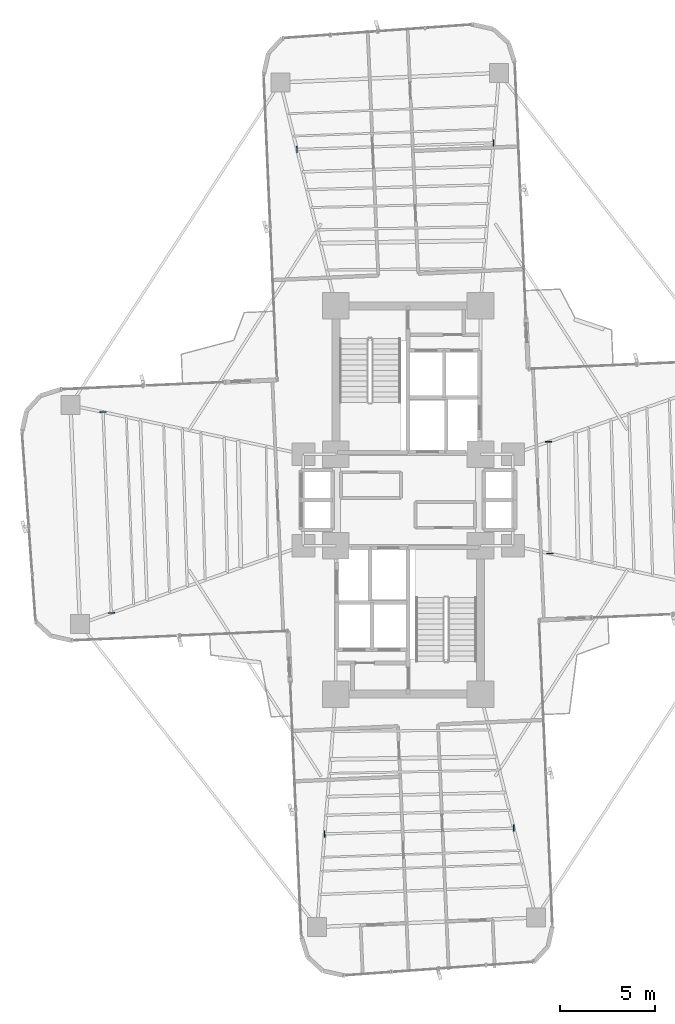
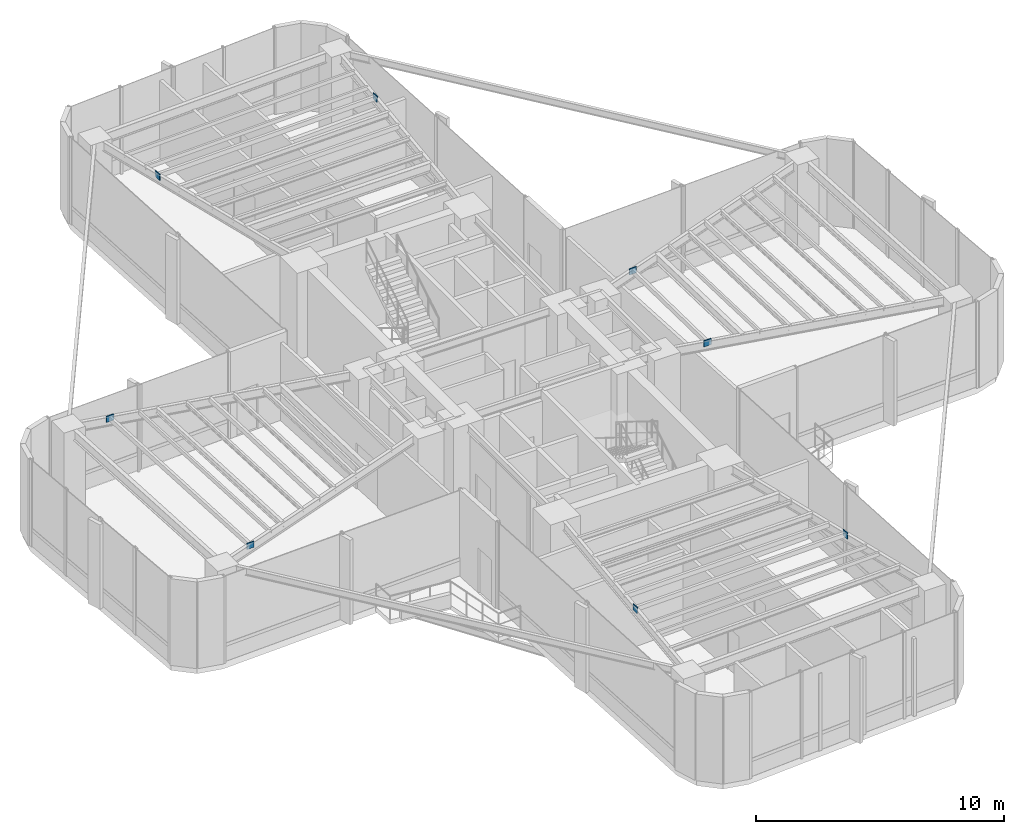
# One storey, part 17 of 21: 8 plates.
"""IFC4 building model written with IfcOpenShell, lengths in metres."""

import ifcopenshell
import ifcopenshell.guid

model = None  # the IFC model being written
_history = None  # IfcOwnerHistory: only IFC2X3 demands one
_inside = {}  # id of a spatial element -> (the spatial element, [elements in it])
_under = {}  # id of a project, library or spatial element -> (it, [spatial elements below it])
_declared = {}  # id of a project -> (the project, [libraries it declares])
_typed = {}  # id of a type object -> (the type object, [elements of that type])
_made_of = {}  # id of a material, layer set ... -> (it, [elements and type objects made of it])


def new_model(schema):
    """Start an empty IFC model of exactly this schema.

    Asked for "IFC4X3", IfcOpenShell would pick the latest addendum, in which some entities
    have other attributes; the version numbers below select the first issue.
    IFC2X3 requires an IfcOwnerHistory on every rooted entity: one is made here for all.
    """
    global model, _history
    if schema == "IFC4X3":
        model = ifcopenshell.file(schema_version=(4, 3, 0, 0))
    else:
        model = ifcopenshell.file(schema=schema)
    _inside.clear()
    _under.clear()
    _declared.clear()
    _typed.clear()
    _made_of.clear()
    _history = None
    if model.schema == "IFC2X3":
        org = make("IfcOrganization", Name="unknown")
        user = make(
            "IfcPersonAndOrganization",
            ThePerson=make("IfcPerson", FamilyName="unknown"),
            TheOrganization=org,
        )
        app = make(
            "IfcApplication",
            ApplicationDeveloper=org,
            Version="unknown",
            ApplicationFullName="unknown",
            ApplicationIdentifier="unknown",
        )
        _history = make(
            "IfcOwnerHistory",
            OwningUser=user,
            OwningApplication=app,
            ChangeAction="ADDED",
            CreationDate=0,
        )
    return model


def make(cls, **values):
    """One entity of the class cls with the attributes given. An attribute that is None is left unset."""
    return model.create_entity(
        cls, **{name: value for name, value in values.items() if value is not None}
    )


def rooted(cls, **values):
    """An entity with a GlobalId (a new one), such as an element, a storey or a relation."""
    return make(cls, GlobalId=ifcopenshell.guid.new(), OwnerHistory=_history, **values)


def si_unit(unit_type, name, prefix=None):
    """IfcSIUnit, for example si_unit("LENGTHUNIT", "METRE", prefix="MILLI")."""
    return make("IfcSIUnit", UnitType=unit_type, Prefix=prefix, Name=name)


def assignment(units):
    """IfcUnitAssignment: the units of a project."""
    return None if units is None else make("IfcUnitAssignment", Units=units)


def point(xyz):
    """IfcCartesianPoint."""
    return None if xyz is None else make("IfcCartesianPoint", Coordinates=xyz)


def direction(xyz):
    """IfcDirection."""
    return None if xyz is None else make("IfcDirection", DirectionRatios=xyz)


def frame(location, z_axis=None, x_axis=None):
    """IfcAxis2Placement3D, a coordinate frame: its origin and axes. An axis left out is left unset."""
    return make(
        "IfcAxis2Placement3D",
        Location=point(location),
        Axis=direction(z_axis),
        RefDirection=direction(x_axis),
    )


def frame_2d(location, x_axis=None):
    """IfcAxis2Placement2D, a coordinate frame in the plane: its origin and x axis."""
    return make(
        "IfcAxis2Placement2D", Location=point(location), RefDirection=direction(x_axis)
    )


def origin():
    """The frame at (0, 0, 0) with its axes left unset."""
    return frame((0.0, 0.0, 0.0))


def origin_2d():
    """The frame at (0, 0) in the plane with its x axis left unset."""
    return frame_2d((0.0, 0.0))


def place(relative_to, where):
    """IfcLocalPlacement: puts the frame where relative to a parent placement (None: the world)."""
    return make(
        "IfcLocalPlacement", PlacementRelTo=relative_to, RelativePlacement=where
    )


def context(
    kind, dimensions, precision=None, world=None, true_north=None, identifier=None
):
    """IfcGeometricRepresentationContext, for example the 3D "Model" context."""
    return make(
        "IfcGeometricRepresentationContext",
        ContextIdentifier=identifier,
        ContextType=kind,
        CoordinateSpaceDimension=dimensions,
        Precision=precision,
        WorldCoordinateSystem=world,
        TrueNorth=true_north,
    )


def subcontext(parent, identifier, kind, view, scale=None):
    """IfcGeometricRepresentationSubContext, for example "Body" below "Model"."""
    return make(
        "IfcGeometricRepresentationSubContext",
        ContextIdentifier=identifier,
        ContextType=kind,
        ParentContext=parent,
        TargetScale=scale,
        TargetView=view,
    )


def project(units=None, contexts=None):
    """IfcProject with its units and contexts."""
    return rooted(
        "IfcProject",
        Name="project",
        RepresentationContexts=contexts,
        UnitsInContext=assignment(units),
    )


def spatial(cls, under=None, at=None, **own):
    """A site, building, storey or space (cls), placed at a placement, below another one or the project."""
    s = rooted(cls, ObjectPlacement=at, **own)
    if under is not None:
        _under.setdefault(under.id(), (under, []))[1].append(s)
    return s


def profile(cls, at=None, kind="AREA", **sizes):
    """A parametric profile (cls). Its sizes go by their IFC names, for example OverallWidth=200.0."""
    return make(cls, ProfileType=kind, Position=at, **sizes)


def rectangle(**sizes):
    """IfcRectangleProfileDef."""
    return profile("IfcRectangleProfileDef", **sizes)


def extrude(swept, where, along, depth):
    """IfcExtrudedAreaSolid: the profile swept, set in the frame where, extruded along a direction by depth."""
    return make(
        "IfcExtrudedAreaSolid",
        SweptArea=swept,
        Position=where,
        ExtrudedDirection=direction(along),
        Depth=depth,
    )


def shape(context_of_items, identifier, shape_type, items):
    """IfcShapeRepresentation: the items that make up one representation, for example the "Body"."""
    return make(
        "IfcShapeRepresentation",
        ContextOfItems=context_of_items,
        RepresentationIdentifier=identifier,
        RepresentationType=shape_type,
        Items=items,
    )


def source(mapping_origin, context_of_items, identifier, shape_type, items):
    """IfcRepresentationMap: a shape defined once, which mapped items show again and again."""
    return make(
        "IfcRepresentationMap",
        MappingOrigin=mapping_origin,
        MappedRepresentation=shape(context_of_items, identifier, shape_type, items),
    )


def transform(
    local_origin,
    x_axis=None,
    y_axis=None,
    z_axis=None,
    scale=None,
    scale2=None,
    scale3=None,
    uniform=True,
):
    """IfcCartesianTransformationOperator3D, or its non-uniform kind. x_axis, y_axis, z_axis: its Axis1, 2, 3."""
    if uniform:
        return make(
            "IfcCartesianTransformationOperator3D",
            Axis1=direction(x_axis),
            Axis2=direction(y_axis),
            LocalOrigin=point(local_origin),
            Scale=scale,
            Axis3=direction(z_axis),
        )
    return make(
        "IfcCartesianTransformationOperator3DnonUniform",
        Axis1=direction(x_axis),
        Axis2=direction(y_axis),
        LocalOrigin=point(local_origin),
        Scale=scale,
        Axis3=direction(z_axis),
        Scale2=scale2,
        Scale3=scale3,
    )


def mapped(mapping_source, mapping_target):
    """IfcMappedItem: shows the shape of a source again, moved by a transform."""
    return make(
        "IfcMappedItem", MappingSource=mapping_source, MappingTarget=mapping_target
    )


def material(Name=None, Category=None):
    """IfcMaterial."""
    return make("IfcMaterial", Name=Name, Category=Category)


def made_of(thing, what):
    """Note that an element or type object is made of a material, layer set ...; save() writes the relation."""
    if what is not None:
        _made_of.setdefault(what.id(), (what, []))[1].append(thing)
    return thing


def type_object(cls, material=None, **own):
    """A type object (cls), such as IfcWallType, which elements share."""
    return made_of(rooted(cls, **own), material)


def element(
    cls,
    number,
    at=None,
    inside=None,
    cuts=None,
    type_object=None,
    material=None,
    context=None,
    identifier="Body",
    shape_type=None,
    held_by="IfcProductDefinitionShape",
    body=None,
    shapes=None,
    **own,
):
    """One element of the class cls, such as IfcWall. Its Tag is "e" and its number.

    at: its placement. inside: the storey or other place that contains it. cuts: it is an
    opening in that element (IfcRelVoidsElement). A single representation is given by context,
    identifier, shape_type and body (its items); several are given by shapes. held_by: the class
    of the entity that holds the representations. save() writes the other relations.
    """
    e = rooted(cls, Tag="e%d" % number, ObjectPlacement=at, **own)
    if body is not None:
        shapes = [shape(context, identifier, shape_type, body)]
    if shapes is not None:
        e.Representation = make(held_by, Representations=shapes)
    if inside is not None:
        _inside.setdefault(inside.id(), (inside, []))[1].append(e)
    if cuts is not None:
        rooted(
            "IfcRelVoidsElement", RelatingBuildingElement=cuts, RelatedOpeningElement=e
        )
    if type_object is not None:
        _typed.setdefault(type_object.id(), (type_object, []))[1].append(e)
    return made_of(e, material)


def aggregate(whole, parts):
    """IfcRelAggregates: a whole, such as a stair, and the parts it consists of."""
    return rooted("IfcRelAggregates", RelatingObject=whole, RelatedObjects=parts)


def save(model, path):
    """Write the relations noted so far, then the file.

    IfcRelAggregates (storeys below a building ...), IfcRelContainedInSpatialStructure (elements
    in a storey), IfcRelDefinesByType, IfcRelAssociatesMaterial and IfcRelDeclares: one each for
    every whole, place, type object, material and project.
    """
    for whole, parts in _under.values():
        aggregate(whole, parts)
    for where, things in _inside.values():
        rooted(
            "IfcRelContainedInSpatialStructure",
            RelatedElements=things,
            RelatingStructure=where,
        )
    for kind, things in _typed.values():
        rooted("IfcRelDefinesByType", RelatedObjects=things, RelatingType=kind)
    for what, things in _made_of.values():
        rooted("IfcRelAssociatesMaterial", RelatedObjects=things, RelatingMaterial=what)
    for by, libraries in _declared.values():
        rooted("IfcRelDeclares", RelatingContext=by, RelatedDefinitions=libraries)
    model.write(path)


model = new_model("IFC4")

# Units and contexts
model_context = context("Model", 3, precision=1e-05, world=origin(), true_north=direction((0.0, 1.0)))
body_context = subcontext(model_context, "Body", "Model", "MODEL_VIEW")
ifc_project = project(units=[si_unit("LENGTHUNIT", "METRE"), si_unit("AREAUNIT", "SQUARE_METRE"), si_unit("VOLUMEUNIT", "CUBIC_METRE"), si_unit("PLANEANGLEUNIT", "RADIAN"), si_unit("MASSUNIT", "GRAM", prefix="KILO")], contexts=[model_context])

# Site, building, storey
site_placement = place(None, origin())
site = spatial("IfcSite", under=ifc_project, at=site_placement, CompositionType="ELEMENT")
building_placement = place(site_placement, origin())
building = spatial("IfcBuilding", under=site, at=building_placement, Name="Sahyath Konkavel Grand Hotel", CompositionType="ELEMENT")
storey_placement = place(building_placement, frame((0.0, 0.0, 79.0)))
storey = spatial("IfcBuildingStorey", under=building, at=storey_placement, Name="L21", CompositionType="ELEMENT", Elevation=79.0)

# Plates
ifc_material = material(Name="Steel E450", Category="steel")
plate_type = type_object("IfcPlateType", Name="GUSSET-END-35", PredefinedType="USERDEFINED", material=ifc_material)
shared_shape = source(origin(), body_context, "Body", "SweptSolid", [
    extrude(rectangle(XDim=0.0400390625, YDim=0.340087890625, at=origin_2d()), origin(), (0.0, 0.0, 1.0), 0.300048828125),
])
for number, where, z_axis, x_axis, name in (
    (1, (7.45751953125, -2.81298828125, 4.0), (0.0, 0.0, 1.0), (-0.013682954338, 0.999906383998, 0.0), "L21 Sub-Beam E-1 End Cap A"),
    (2, (7.377197265625, 3.057373046875, 4.0), (0.0, 0.0, 1.0), (-0.013682954338, 0.999906383998, 0.0), "L21 Sub-Beam E-1 End Cap B"),
    (3, (-16.021484375, 4.619873046875, 4.0), (0.0, 0.0, 1.0), (0.040864229431, -0.999164708521, 0.0), "L21 Sub-Beam W-6 End Cap A"),
    (4, (-15.58984375, -5.932861328125, 4.0), (0.0, 0.0, 1.0), (0.040864229431, -0.999164708521, 0.0), "L21 Sub-Beam W-6 End Cap B"),
    (5, (4.4833984375, 18.7607421875, 4.0), (0.0, 0.0, 1.0), (-0.999422089201, -0.033992464111, 0.0), "L21 Sub-Beam N-5 End Cap A"),
    (6, (-5.839111328125, 18.40966796875, 4.0), (0.0, 0.0, 1.0), (-0.999422089201, -0.033992464111, 0.0), "L21 Sub-Beam N-5 End Cap B"),
    (7, (-4.3857421875, -17.537841796875, 4.0), (0.0, 0.0, 1.0), (0.999541551547, 0.030276834884, 0.0), "L21 Sub-Beam S-4 End Cap A"),
    (8, (5.547607421875, -17.23681640625, 4.0), (0.0, 0.0, 1.0), (0.999541551547, 0.030276834884, 0.0), "L21 Sub-Beam S-4 End Cap B"),
):
    element("IfcPlate", number, at=place(storey_placement, frame(where, z_axis=z_axis, x_axis=x_axis)), inside=storey, type_object=plate_type, Name=name, ObjectType="GUSSET_PLATE", PredefinedType="USERDEFINED", context=body_context, shape_type="MappedRepresentation", body=[
        mapped(shared_shape, transform((0.0, 0.0, 0.0), scale=1.0)),
    ])

save(model, "model.ifc")
